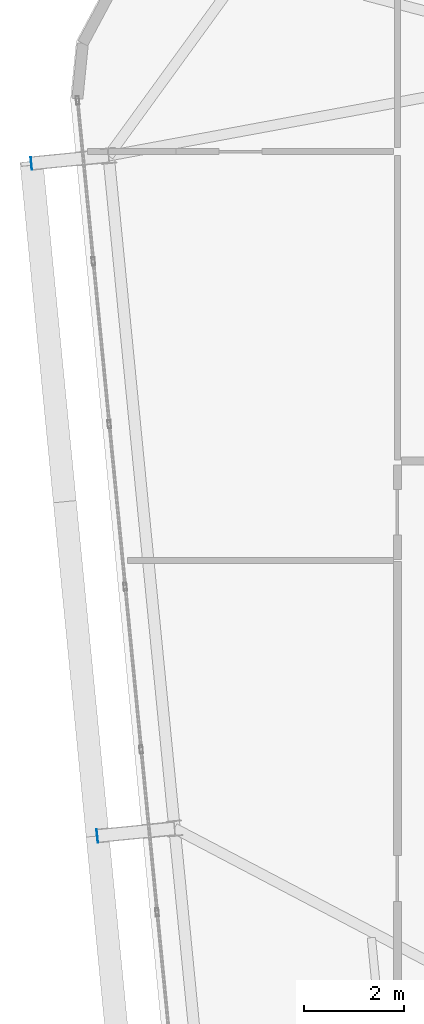
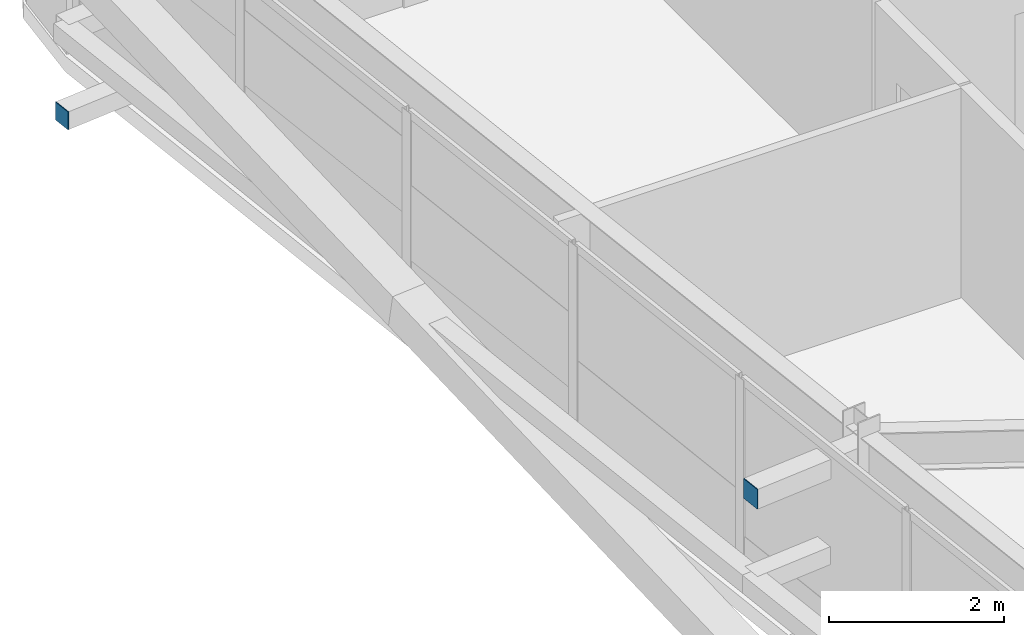
# One storey, part 40 of 52: 2 plates.
"""IFC4 building model written with IfcOpenShell, lengths in metres."""

from ifc_helpers import new_model, si_unit, direction, frame, origin, origin_2d, place, context, subcontext, project, spatial, rectangle, extrude, source, transform, mapped, material, layer, layer_set, type_object, element, save


model = new_model("IFC4")

# Units and contexts
model_context = context("Model", 3, precision=1e-05, world=origin(), true_north=direction((0.0, 1.0)))
body_context = subcontext(model_context, "Body", "Model", "MODEL_VIEW")
ifc_project = project(units=[si_unit("LENGTHUNIT", "METRE"), si_unit("AREAUNIT", "SQUARE_METRE"), si_unit("VOLUMEUNIT", "CUBIC_METRE"), si_unit("PLANEANGLEUNIT", "RADIAN"), si_unit("MASSUNIT", "GRAM", prefix="KILO")], contexts=[model_context])

# Site, building, storey
site_placement = place(None, origin())
site = spatial("IfcSite", under=ifc_project, at=site_placement, CompositionType="ELEMENT")
building_placement = place(site_placement, origin())
building = spatial("IfcBuilding", under=site, at=building_placement, Name="Taldren Reach Tower", CompositionType="ELEMENT")
storey_placement = place(building_placement, frame((0.0, 0.0, 77.699951171875)))
storey = spatial("IfcBuildingStorey", under=building, at=storey_placement, Name="L23", CompositionType="ELEMENT", Elevation=77.699951171875)

# Plates
ifc_material_1 = material(Name="Steel Gr 450 (C450L0)", Category="steel")
ifc_layer_1 = layer(ifc_material_1, 0.011962890625)
ifc_layer_set_1 = layer_set([ifc_layer_1], Name="Steel Gr 450 (C450L0)")
plate_type_1 = type_object("IfcPlateType", Name="PL-CAP-275", PredefinedType="SHEET", material=ifc_layer_set_1)
shared_shape_1 = source(origin(), body_context, "Body", "SweptSolid", [
    extrude(rectangle(XDim=0.011962890625, YDim=0.27490234375, at=origin_2d()), origin(), (0.0, 0.0, 1.0), 0.27490234375),
])
plate_1_placement = place(storey_placement, frame((8.58203125, 16.479248046875, 2.5126953125), z_axis=(0.0, 0.0, 1.0), x_axis=(0.995227399982, 0.097582899759, 0.0)))
element("IfcPlate", 1, at=plate_1_placement, inside=storey, type_object=plate_type_1, Name="Tie strut end cap plate B2-W2 L23", PredefinedType="SHEET", context=body_context, shape_type="MappedRepresentation", body=[
    mapped(shared_shape_1, transform((0.0, 0.0, 0.0), scale=1.0)),
])
ifc_material_2 = material(Name="Steel Gr 350 (C350L0)", Category="steel")
ifc_layer_2 = layer(ifc_material_2, 0.011962890625)
ifc_layer_set_2 = layer_set([ifc_layer_2], Name="Steel Gr 350 (C350L0)")
plate_type_2 = type_object("IfcPlateType", Name="PL-CAP-250", PredefinedType="SHEET", material=ifc_layer_set_2)
shared_shape_2 = source(origin(), body_context, "Body", "SweptSolid", [
    extrude(rectangle(XDim=0.011962890625, YDim=0.25, at=origin_2d()), origin(), (0.0, 0.0, 1.0), 0.25),
])
plate_2_placement = place(storey_placement, frame((7.259765625, 29.964599609375, 0.094970703125), z_axis=(0.0, 0.0, 1.0), x_axis=(0.995227399982, 0.097582899759, 0.0)))
element("IfcPlate", 2, at=plate_2_placement, inside=storey, type_object=plate_type_2, Name="Tie strut end cap plate B2-W3 L23", PredefinedType="SHEET", context=body_context, shape_type="MappedRepresentation", body=[
    mapped(shared_shape_2, transform((0.0, 0.0, 0.0), scale=1.0)),
])

save(model, "model.ifc")
